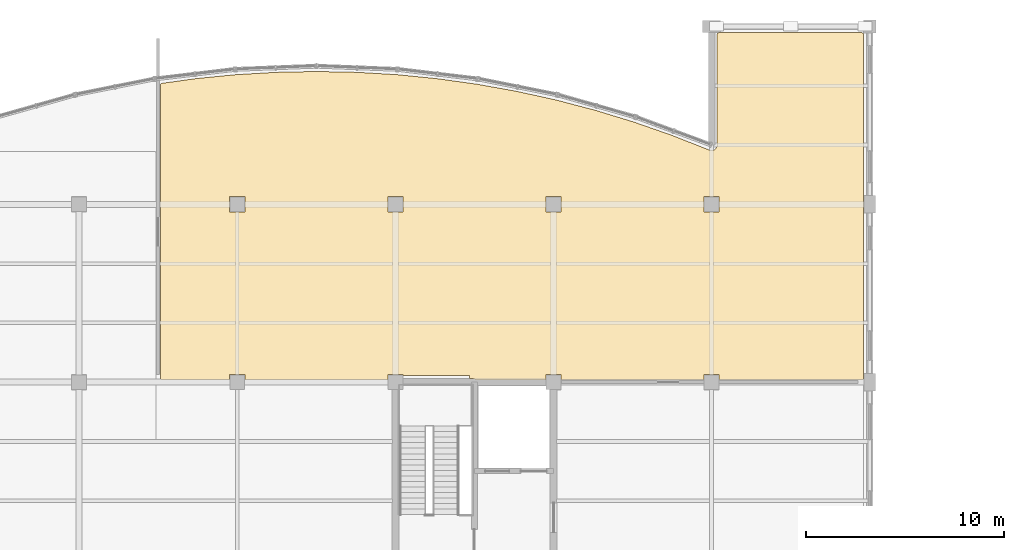
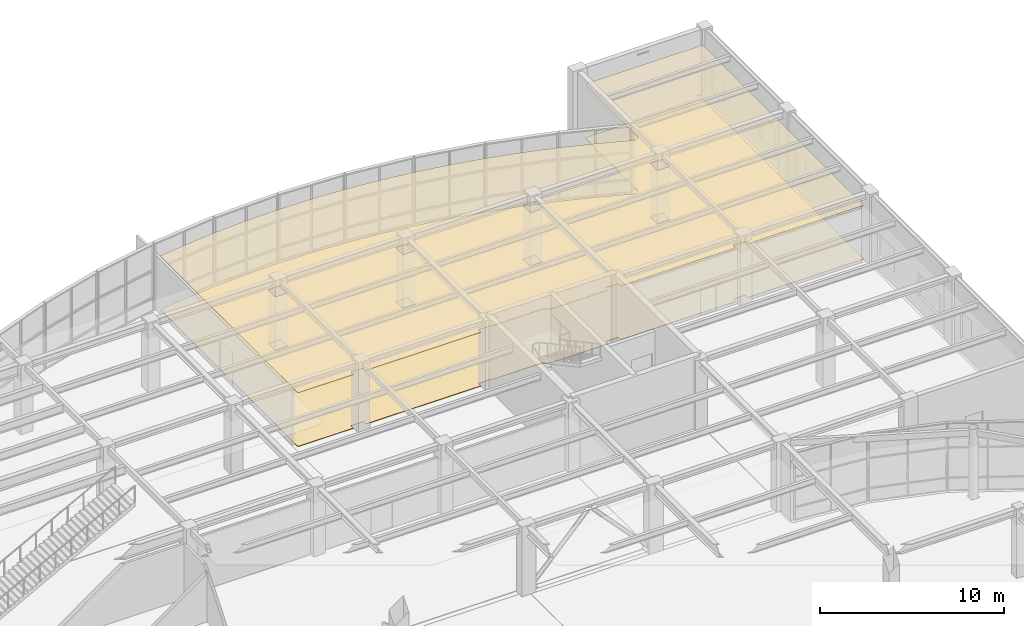
# One storey, part 71 of 72: 2 coverings.
"""IFC4 building model written with IfcOpenShell, lengths in metres."""

import ifcopenshell
import ifcopenshell.guid

model = None  # the IFC model being written
_history = None  # IfcOwnerHistory: only IFC2X3 demands one
_inside = {}  # id of a spatial element -> (the spatial element, [elements in it])
_under = {}  # id of a project, library or spatial element -> (it, [spatial elements below it])
_declared = {}  # id of a project -> (the project, [libraries it declares])
_typed = {}  # id of a type object -> (the type object, [elements of that type])
_made_of = {}  # id of a material, layer set ... -> (it, [elements and type objects made of it])


def new_model(schema):
    """Start an empty IFC model of exactly this schema.

    Asked for "IFC4X3", IfcOpenShell would pick the latest addendum, in which some entities
    have other attributes; the version numbers below select the first issue.
    IFC2X3 requires an IfcOwnerHistory on every rooted entity: one is made here for all.
    """
    global model, _history
    if schema == "IFC4X3":
        model = ifcopenshell.file(schema_version=(4, 3, 0, 0))
    else:
        model = ifcopenshell.file(schema=schema)
    _inside.clear()
    _under.clear()
    _declared.clear()
    _typed.clear()
    _made_of.clear()
    _history = None
    if model.schema == "IFC2X3":
        org = make("IfcOrganization", Name="unknown")
        user = make(
            "IfcPersonAndOrganization",
            ThePerson=make("IfcPerson", FamilyName="unknown"),
            TheOrganization=org,
        )
        app = make(
            "IfcApplication",
            ApplicationDeveloper=org,
            Version="unknown",
            ApplicationFullName="unknown",
            ApplicationIdentifier="unknown",
        )
        _history = make(
            "IfcOwnerHistory",
            OwningUser=user,
            OwningApplication=app,
            ChangeAction="ADDED",
            CreationDate=0,
        )
    return model


def make(cls, **values):
    """One entity of the class cls with the attributes given. An attribute that is None is left unset."""
    return model.create_entity(
        cls, **{name: value for name, value in values.items() if value is not None}
    )


def rooted(cls, **values):
    """An entity with a GlobalId (a new one), such as an element, a storey or a relation."""
    return make(cls, GlobalId=ifcopenshell.guid.new(), OwnerHistory=_history, **values)


def si_unit(unit_type, name, prefix=None):
    """IfcSIUnit, for example si_unit("LENGTHUNIT", "METRE", prefix="MILLI")."""
    return make("IfcSIUnit", UnitType=unit_type, Prefix=prefix, Name=name)


def assignment(units):
    """IfcUnitAssignment: the units of a project."""
    return None if units is None else make("IfcUnitAssignment", Units=units)


def point(xyz):
    """IfcCartesianPoint."""
    return None if xyz is None else make("IfcCartesianPoint", Coordinates=xyz)


def direction(xyz):
    """IfcDirection."""
    return None if xyz is None else make("IfcDirection", DirectionRatios=xyz)


def frame(location, z_axis=None, x_axis=None):
    """IfcAxis2Placement3D, a coordinate frame: its origin and axes. An axis left out is left unset."""
    return make(
        "IfcAxis2Placement3D",
        Location=point(location),
        Axis=direction(z_axis),
        RefDirection=direction(x_axis),
    )


def origin():
    """The frame at (0, 0, 0) with its axes left unset."""
    return frame((0.0, 0.0, 0.0))


def place(relative_to, where):
    """IfcLocalPlacement: puts the frame where relative to a parent placement (None: the world)."""
    return make(
        "IfcLocalPlacement", PlacementRelTo=relative_to, RelativePlacement=where
    )


def context(
    kind, dimensions, precision=None, world=None, true_north=None, identifier=None
):
    """IfcGeometricRepresentationContext, for example the 3D "Model" context."""
    return make(
        "IfcGeometricRepresentationContext",
        ContextIdentifier=identifier,
        ContextType=kind,
        CoordinateSpaceDimension=dimensions,
        Precision=precision,
        WorldCoordinateSystem=world,
        TrueNorth=true_north,
    )


def subcontext(parent, identifier, kind, view, scale=None):
    """IfcGeometricRepresentationSubContext, for example "Body" below "Model"."""
    return make(
        "IfcGeometricRepresentationSubContext",
        ContextIdentifier=identifier,
        ContextType=kind,
        ParentContext=parent,
        TargetScale=scale,
        TargetView=view,
    )


def project(units=None, contexts=None):
    """IfcProject with its units and contexts."""
    return rooted(
        "IfcProject",
        Name="project",
        RepresentationContexts=contexts,
        UnitsInContext=assignment(units),
    )


def spatial(cls, under=None, at=None, **own):
    """A site, building, storey or space (cls), placed at a placement, below another one or the project."""
    s = rooted(cls, ObjectPlacement=at, **own)
    if under is not None:
        _under.setdefault(under.id(), (under, []))[1].append(s)
    return s


def polyline(points):
    """IfcPolyline through the points."""
    return make("IfcPolyline", Points=[point(p) for p in points])


def outline(outer, holes=None, kind="AREA"):
    """IfcArbitraryClosedProfileDef: a profile drawn as a closed curve; with holes, ...WithVoids."""
    if holes is None:
        return make("IfcArbitraryClosedProfileDef", ProfileType=kind, OuterCurve=outer)
    return make(
        "IfcArbitraryProfileDefWithVoids",
        ProfileType=kind,
        OuterCurve=outer,
        InnerCurves=holes,
    )


def extrude(swept, where, along, depth):
    """IfcExtrudedAreaSolid: the profile swept, set in the frame where, extruded along a direction by depth."""
    return make(
        "IfcExtrudedAreaSolid",
        SweptArea=swept,
        Position=where,
        ExtrudedDirection=direction(along),
        Depth=depth,
    )


def shape(context_of_items, identifier, shape_type, items):
    """IfcShapeRepresentation: the items that make up one representation, for example the "Body"."""
    return make(
        "IfcShapeRepresentation",
        ContextOfItems=context_of_items,
        RepresentationIdentifier=identifier,
        RepresentationType=shape_type,
        Items=items,
    )


def material(Name=None, Category=None):
    """IfcMaterial."""
    return make("IfcMaterial", Name=Name, Category=Category)


def layer(
    of_material, thickness, ventilated=None, Name=None, Category=None, Priority=None
):
    """IfcMaterialLayer: one layer of a wall or slab, of a material (None: an air gap)."""
    return make(
        "IfcMaterialLayer",
        Material=of_material,
        LayerThickness=thickness,
        IsVentilated=ventilated,
        Name=Name,
        Category=Category,
        Priority=Priority,
    )


def layer_set(layers, Name=None):
    """IfcMaterialLayerSet."""
    return make("IfcMaterialLayerSet", MaterialLayers=layers, LayerSetName=Name)


def made_of(thing, what):
    """Note that an element or type object is made of a material, layer set ...; save() writes the relation."""
    if what is not None:
        _made_of.setdefault(what.id(), (what, []))[1].append(thing)
    return thing


def type_object(cls, material=None, **own):
    """A type object (cls), such as IfcWallType, which elements share."""
    return made_of(rooted(cls, **own), material)


def element(
    cls,
    number,
    at=None,
    inside=None,
    cuts=None,
    type_object=None,
    material=None,
    context=None,
    identifier="Body",
    shape_type=None,
    held_by="IfcProductDefinitionShape",
    body=None,
    shapes=None,
    **own,
):
    """One element of the class cls, such as IfcWall. Its Tag is "e" and its number.

    at: its placement. inside: the storey or other place that contains it. cuts: it is an
    opening in that element (IfcRelVoidsElement). A single representation is given by context,
    identifier, shape_type and body (its items); several are given by shapes. held_by: the class
    of the entity that holds the representations. save() writes the other relations.
    """
    e = rooted(cls, Tag="e%d" % number, ObjectPlacement=at, **own)
    if body is not None:
        shapes = [shape(context, identifier, shape_type, body)]
    if shapes is not None:
        e.Representation = make(held_by, Representations=shapes)
    if inside is not None:
        _inside.setdefault(inside.id(), (inside, []))[1].append(e)
    if cuts is not None:
        rooted(
            "IfcRelVoidsElement", RelatingBuildingElement=cuts, RelatedOpeningElement=e
        )
    if type_object is not None:
        _typed.setdefault(type_object.id(), (type_object, []))[1].append(e)
    return made_of(e, material)


def aggregate(whole, parts):
    """IfcRelAggregates: a whole, such as a stair, and the parts it consists of."""
    return rooted("IfcRelAggregates", RelatingObject=whole, RelatedObjects=parts)


def save(model, path):
    """Write the relations noted so far, then the file.

    IfcRelAggregates (storeys below a building ...), IfcRelContainedInSpatialStructure (elements
    in a storey), IfcRelDefinesByType, IfcRelAssociatesMaterial and IfcRelDeclares: one each for
    every whole, place, type object, material and project.
    """
    for whole, parts in _under.values():
        aggregate(whole, parts)
    for where, things in _inside.values():
        rooted(
            "IfcRelContainedInSpatialStructure",
            RelatedElements=things,
            RelatingStructure=where,
        )
    for kind, things in _typed.values():
        rooted("IfcRelDefinesByType", RelatedObjects=things, RelatingType=kind)
    for what, things in _made_of.values():
        rooted("IfcRelAssociatesMaterial", RelatedObjects=things, RelatingMaterial=what)
    for by, libraries in _declared.values():
        rooted("IfcRelDeclares", RelatingContext=by, RelatedDefinitions=libraries)
    model.write(path)


model = new_model("IFC4")

# Units and contexts
model_context = context("Model", 3, precision=1e-05, world=origin(), true_north=direction((0.0, 1.0)))
body_context = subcontext(model_context, "Body", "Model", "MODEL_VIEW")
ifc_project = project(units=[si_unit("LENGTHUNIT", "METRE"), si_unit("AREAUNIT", "SQUARE_METRE"), si_unit("VOLUMEUNIT", "CUBIC_METRE"), si_unit("PLANEANGLEUNIT", "RADIAN"), si_unit("MASSUNIT", "GRAM", prefix="KILO")], contexts=[model_context])

# Site, building, storey
site_placement = place(None, origin())
site = spatial("IfcSite", under=ifc_project, at=site_placement, CompositionType="ELEMENT")
building_placement = place(site_placement, origin())
building = spatial("IfcBuilding", under=site, at=building_placement, Name="Keelwater Ferry Terminal", CompositionType="ELEMENT")
storey_placement = place(building_placement, frame((0.0, 0.0, 5.39990234375)))
storey = spatial("IfcBuildingStorey", under=building, at=storey_placement, Name="L01", CompositionType="ELEMENT", Elevation=5.39990234375)

# Coverings
ifc_material_1 = material(Name="Perforated acoustic gypsum board ceiling", Category="gypsum")
ifc_layer_1 = layer(ifc_material_1, 0.044921875)
ifc_layer_set_1 = layer_set([ifc_layer_1], Name="Perforated acoustic gypsum board ceiling")
covering_type_1 = type_object("IfcCoveringType", Name="CL-AC Acoustic Baffle Ceiling", PredefinedType="CEILING", material=ifc_layer_set_1)
covering_1_placement = place(storey_placement, frame((0.0, 0.0, 3.550048828125)))
element("IfcCovering", 1, at=covering_1_placement, inside=storey, type_object=covering_type_1, Name="Waterfront Cafe Acoustic Ceiling", PredefinedType="CEILING", context=body_context, shape_type="SweptSolid", body=[
    extrude(outline(polyline([(147.91796875, 123.55908203125), (147.9208984375, 123.55908203125), (149.95703125, 123.678955078125), (149.9599609375, 123.678955078125), (151.47509765625, 123.708984375), (152.0, 123.719970703125), (152.52490234375, 123.708984375), (154.0400390625, 123.678955078125), (154.04296875, 123.678955078125), (156.0791015625, 123.55908203125), (156.08203125, 123.55908203125), (158.10888671875, 123.35791015625), (158.112060546875, 123.35693359375), (160.132080078125, 123.075927734375), (160.135009765625, 123.075927734375), (162.10888671875, 122.720947265625), (162.14208984375, 122.716064453125), (162.14404296875, 122.715087890625), (162.263916015625, 122.68896484375), (164.136962890625, 122.27587890625), (166.112060546875, 121.758056640625), (168.06494140625, 121.162109375), (168.804931640625, 120.904052734375), (169.990966796875, 120.489990234375), (169.993896484375, 120.488037109375), (171.89208984375, 119.741943359375), (171.89208984375, 119.740966796875), (171.89697265625, 119.739013671875), (171.923095703125, 119.73095703125), (171.949951171875, 119.72509765625), (171.97705078125, 119.720947265625), (172.00390625, 119.719970703125), (172.031005859375, 119.721923828125), (172.05810546875, 119.72607421875), (172.083984375, 119.73291015625), (172.110107421875, 119.741943359375), (172.134033203125, 119.75390625), (172.156005859375, 119.76806640625), (172.157958984375, 119.76904296875), (172.158935546875, 119.77001953125), (172.178955078125, 119.784912109375), (172.198974609375, 119.802978515625), (172.218017578125, 119.823974609375), (172.23388671875, 119.845947265625), (172.248046875, 119.868896484375), (172.259033203125, 119.89404296875), (172.26806640625, 119.9189453125), (172.27490234375, 119.946044921875), (172.279052734375, 119.972900390625), (172.280029296875, 120.0), (172.280029296875, 125.60009765625), (172.280029296875, 125.60009765625), (172.280029296875, 125.60791015625), (172.281982421875, 125.615966796875), (172.282958984375, 125.623046875), (172.285888671875, 125.631103515625), (172.2890625, 125.637939453125), (172.29296875, 125.64404296875), (172.298095703125, 125.65087890625), (172.302978515625, 125.656982421875), (172.30908203125, 125.662109375), (172.31591796875, 125.6669921875), (172.322021484375, 125.6708984375), (172.3291015625, 125.674072265625), (172.3369140625, 125.677001953125), (172.343994140625, 125.677978515625), (172.35205078125, 125.679931640625), (172.360107421875, 125.679931640625), (179.60009765625, 125.679931640625), (179.60791015625, 125.679931640625), (179.615966796875, 125.677978515625), (179.623046875, 125.677001953125), (179.631103515625, 125.674072265625), (179.637939453125, 125.6708984375), (179.64404296875, 125.6669921875), (179.65087890625, 125.662109375), (179.656982421875, 125.656982421875), (179.662109375, 125.65087890625), (179.6669921875, 125.64404296875), (179.6708984375, 125.637939453125), (179.674072265625, 125.631103515625), (179.677001953125, 125.623046875), (179.677978515625, 125.615966796875), (179.679931640625, 125.60791015625), (179.679931640625, 125.60009765625), (179.679931640625, 108.199951171875), (179.679931640625, 108.19189453125), (179.677978515625, 108.18408203125), (179.677001953125, 108.177001953125), (179.674072265625, 108.1689453125), (179.6708984375, 108.162109375), (179.6669921875, 108.156005859375), (179.662109375, 108.14892578125), (179.656982421875, 108.14306640625), (179.65087890625, 108.137939453125), (179.64404296875, 108.133056640625), (179.637939453125, 108.12890625), (179.631103515625, 108.1259765625), (179.623046875, 108.123046875), (179.615966796875, 108.1220703125), (179.60791015625, 108.1201171875), (179.60009765625, 108.1201171875), (172.39501953125, 108.1201171875), (172.386962890625, 108.1201171875), (172.385009765625, 108.12109375), (172.385009765625, 108.385009765625), (171.614990234375, 108.385009765625), (171.614990234375, 108.12109375), (171.613037109375, 108.1201171875), (171.60498046875, 108.1201171875), (164.39501953125, 108.1201171875), (164.386962890625, 108.1201171875), (164.385009765625, 108.12109375), (164.385009765625, 108.385009765625), (163.614990234375, 108.385009765625), (163.614990234375, 108.12109375), (163.613037109375, 108.1201171875), (163.60498046875, 108.1201171875), (160.072998046875, 108.1201171875), (160.055908203125, 108.133056640625), (160.031982421875, 108.14697265625), (160.007080078125, 108.158935546875), (159.98095703125, 108.16796875), (159.955078125, 108.175048828125), (159.927001953125, 108.178955078125), (159.89990234375, 108.179931640625), (159.739990234375, 108.179931640625), (159.739990234375, 108.340087890625), (156.385009765625, 108.340087890625), (156.385009765625, 108.385009765625), (155.614990234375, 108.385009765625), (155.614990234375, 108.12109375), (155.613037109375, 108.1201171875), (155.60498046875, 108.1201171875), (148.39501953125, 108.1201171875), (148.386962890625, 108.1201171875), (148.385009765625, 108.12109375), (148.385009765625, 108.385009765625), (147.614990234375, 108.385009765625), (147.614990234375, 108.12109375), (147.613037109375, 108.1201171875), (147.60498046875, 108.1201171875), (144.199951171875, 108.1201171875), (144.19189453125, 108.1201171875), (144.18408203125, 108.1220703125), (144.177001953125, 108.123046875), (144.1689453125, 108.1259765625), (144.162109375, 108.12890625), (144.156005859375, 108.133056640625), (144.14892578125, 108.137939453125), (144.14306640625, 108.14306640625), (144.137939453125, 108.14892578125), (144.133056640625, 108.156005859375), (144.12890625, 108.162109375), (144.1259765625, 108.1689453125), (144.123046875, 108.177001953125), (144.1220703125, 108.18408203125), (144.1201171875, 108.19189453125), (144.1201171875, 108.199951171875), (144.1201171875, 123.0419921875), (144.1201171875, 123.050048828125), (144.12109375, 123.056884765625), (144.123046875, 123.06494140625), (144.1259765625, 123.072021484375), (144.12890625, 123.0791015625), (144.133056640625, 123.0849609375), (144.136962890625, 123.092041015625), (144.14208984375, 123.096923828125), (144.14794921875, 123.10302734375), (144.154052734375, 123.10693359375), (144.159912109375, 123.111083984375), (144.1669921875, 123.114990234375), (144.174072265625, 123.117919921875), (144.180908203125, 123.1201171875), (144.18896484375, 123.12109375), (145.887939453125, 123.35693359375), (145.89111328125, 123.35791015625), (147.91796875, 123.55908203125)]), holes=[polyline([(147.614990234375, 117.385009765625), (147.614990234375, 116.614990234375), (148.385009765625, 116.614990234375), (148.385009765625, 117.385009765625), (147.614990234375, 117.385009765625)]), polyline([(156.385009765625, 117.385009765625), (155.614990234375, 117.385009765625), (155.614990234375, 116.614990234375), (156.385009765625, 116.614990234375), (156.385009765625, 117.385009765625)]), polyline([(163.614990234375, 117.385009765625), (163.614990234375, 116.614990234375), (164.385009765625, 116.614990234375), (164.385009765625, 117.385009765625), (163.614990234375, 117.385009765625)]), polyline([(171.614990234375, 117.385009765625), (171.614990234375, 116.614990234375), (172.385009765625, 116.614990234375), (172.385009765625, 117.385009765625), (171.614990234375, 117.385009765625)])]), origin(), (0.0, 0.0, 1.0), 0.045166015625),
])
ifc_material_2 = material(Name="Polished mineral terrazzo tile", Category="stone")
ifc_layer_2 = layer(ifc_material_2, 0.030029296875)
ifc_layer_set_2 = layer_set([ifc_layer_2], Name="Polished mineral terrazzo tile")
covering_type_2 = type_object("IfcCoveringType", Name="FL-TZ Marine Terrazzo Flooring", PredefinedType="FLOORING", material=ifc_layer_set_2)
covering_2_placement = place(storey_placement, origin())
element("IfcCovering", 2, at=covering_2_placement, inside=storey, type_object=covering_type_2, Name="Waterfront Cafe Terrazzo Floor", PredefinedType="FLOORING", context=body_context, shape_type="SweptSolid", body=[
    extrude(outline(polyline([(147.91796875, 123.55908203125), (147.9208984375, 123.55908203125), (149.95703125, 123.678955078125), (149.9599609375, 123.678955078125), (151.47509765625, 123.708984375), (152.0, 123.719970703125), (152.52490234375, 123.708984375), (154.0400390625, 123.678955078125), (154.04296875, 123.678955078125), (156.0791015625, 123.55908203125), (156.08203125, 123.55908203125), (158.10888671875, 123.35791015625), (158.112060546875, 123.35693359375), (160.132080078125, 123.075927734375), (160.135009765625, 123.075927734375), (162.10888671875, 122.720947265625), (162.14208984375, 122.716064453125), (162.14404296875, 122.715087890625), (162.263916015625, 122.68896484375), (164.136962890625, 122.27587890625), (166.112060546875, 121.758056640625), (168.06494140625, 121.162109375), (168.804931640625, 120.904052734375), (169.990966796875, 120.489990234375), (169.993896484375, 120.488037109375), (171.89208984375, 119.741943359375), (171.89208984375, 119.740966796875), (171.89697265625, 119.739013671875), (171.923095703125, 119.73095703125), (171.949951171875, 119.72509765625), (171.97705078125, 119.720947265625), (172.00390625, 119.719970703125), (172.031005859375, 119.721923828125), (172.05810546875, 119.72607421875), (172.083984375, 119.73291015625), (172.110107421875, 119.741943359375), (172.134033203125, 119.75390625), (172.156005859375, 119.76806640625), (172.157958984375, 119.76904296875), (172.158935546875, 119.77001953125), (172.178955078125, 119.784912109375), (172.198974609375, 119.802978515625), (172.218017578125, 119.823974609375), (172.23388671875, 119.845947265625), (172.248046875, 119.868896484375), (172.259033203125, 119.89404296875), (172.26806640625, 119.9189453125), (172.27490234375, 119.946044921875), (172.279052734375, 119.972900390625), (172.280029296875, 120.0), (172.280029296875, 125.60009765625), (172.280029296875, 125.60009765625), (172.280029296875, 125.60791015625), (172.281982421875, 125.615966796875), (172.282958984375, 125.623046875), (172.285888671875, 125.631103515625), (172.2890625, 125.637939453125), (172.29296875, 125.64404296875), (172.298095703125, 125.65087890625), (172.302978515625, 125.656982421875), (172.30908203125, 125.662109375), (172.31591796875, 125.6669921875), (172.322021484375, 125.6708984375), (172.3291015625, 125.674072265625), (172.3369140625, 125.677001953125), (172.343994140625, 125.677978515625), (172.35205078125, 125.679931640625), (172.360107421875, 125.679931640625), (179.60009765625, 125.679931640625), (179.60791015625, 125.679931640625), (179.615966796875, 125.677978515625), (179.623046875, 125.677001953125), (179.631103515625, 125.674072265625), (179.637939453125, 125.6708984375), (179.64404296875, 125.6669921875), (179.65087890625, 125.662109375), (179.656982421875, 125.656982421875), (179.662109375, 125.65087890625), (179.6669921875, 125.64404296875), (179.6708984375, 125.637939453125), (179.674072265625, 125.631103515625), (179.677001953125, 125.623046875), (179.677978515625, 125.615966796875), (179.679931640625, 125.60791015625), (179.679931640625, 125.60009765625), (179.679931640625, 108.199951171875), (179.679931640625, 108.19189453125), (179.677978515625, 108.18408203125), (179.677001953125, 108.177001953125), (179.674072265625, 108.1689453125), (179.6708984375, 108.162109375), (179.6669921875, 108.156005859375), (179.662109375, 108.14892578125), (179.656982421875, 108.14306640625), (179.65087890625, 108.137939453125), (179.64404296875, 108.133056640625), (179.637939453125, 108.12890625), (179.631103515625, 108.1259765625), (179.623046875, 108.123046875), (179.615966796875, 108.1220703125), (179.60791015625, 108.1201171875), (179.60009765625, 108.1201171875), (172.39501953125, 108.1201171875), (172.386962890625, 108.1201171875), (172.385009765625, 108.12109375), (172.385009765625, 108.385009765625), (171.614990234375, 108.385009765625), (171.614990234375, 108.12109375), (171.613037109375, 108.1201171875), (171.60498046875, 108.1201171875), (164.39501953125, 108.1201171875), (164.386962890625, 108.1201171875), (164.385009765625, 108.12109375), (164.385009765625, 108.385009765625), (163.614990234375, 108.385009765625), (163.614990234375, 108.12109375), (163.613037109375, 108.1201171875), (163.60498046875, 108.1201171875), (160.072998046875, 108.1201171875), (160.055908203125, 108.133056640625), (160.031982421875, 108.14697265625), (160.007080078125, 108.158935546875), (159.98095703125, 108.16796875), (159.955078125, 108.175048828125), (159.927001953125, 108.178955078125), (159.89990234375, 108.179931640625), (159.739990234375, 108.179931640625), (159.739990234375, 108.340087890625), (156.385009765625, 108.340087890625), (156.385009765625, 108.385009765625), (155.614990234375, 108.385009765625), (155.614990234375, 108.12109375), (155.613037109375, 108.1201171875), (155.60498046875, 108.1201171875), (148.39501953125, 108.1201171875), (148.386962890625, 108.1201171875), (148.385009765625, 108.12109375), (148.385009765625, 108.385009765625), (147.614990234375, 108.385009765625), (147.614990234375, 108.12109375), (147.613037109375, 108.1201171875), (147.60498046875, 108.1201171875), (144.199951171875, 108.1201171875), (144.19189453125, 108.1201171875), (144.18408203125, 108.1220703125), (144.177001953125, 108.123046875), (144.1689453125, 108.1259765625), (144.162109375, 108.12890625), (144.156005859375, 108.133056640625), (144.14892578125, 108.137939453125), (144.14306640625, 108.14306640625), (144.137939453125, 108.14892578125), (144.133056640625, 108.156005859375), (144.12890625, 108.162109375), (144.1259765625, 108.1689453125), (144.123046875, 108.177001953125), (144.1220703125, 108.18408203125), (144.1201171875, 108.19189453125), (144.1201171875, 108.199951171875), (144.1201171875, 123.0419921875), (144.1201171875, 123.050048828125), (144.12109375, 123.056884765625), (144.123046875, 123.06494140625), (144.1259765625, 123.072021484375), (144.12890625, 123.0791015625), (144.133056640625, 123.0849609375), (144.136962890625, 123.092041015625), (144.14208984375, 123.096923828125), (144.14794921875, 123.10302734375), (144.154052734375, 123.10693359375), (144.159912109375, 123.111083984375), (144.1669921875, 123.114990234375), (144.174072265625, 123.117919921875), (144.180908203125, 123.1201171875), (144.18896484375, 123.12109375), (145.887939453125, 123.35693359375), (145.89111328125, 123.35791015625), (147.91796875, 123.55908203125)]), holes=[polyline([(147.614990234375, 117.385009765625), (147.614990234375, 116.614990234375), (148.385009765625, 116.614990234375), (148.385009765625, 117.385009765625), (147.614990234375, 117.385009765625)]), polyline([(156.385009765625, 117.385009765625), (155.614990234375, 117.385009765625), (155.614990234375, 116.614990234375), (156.385009765625, 116.614990234375), (156.385009765625, 117.385009765625)]), polyline([(163.614990234375, 117.385009765625), (163.614990234375, 116.614990234375), (164.385009765625, 116.614990234375), (164.385009765625, 117.385009765625), (163.614990234375, 117.385009765625)]), polyline([(171.614990234375, 117.385009765625), (171.614990234375, 116.614990234375), (172.385009765625, 116.614990234375), (172.385009765625, 117.385009765625), (171.614990234375, 117.385009765625)])]), origin(), (0.0, 0.0, 1.0), 0.030029296875),
])

save(model, "model.ifc")
